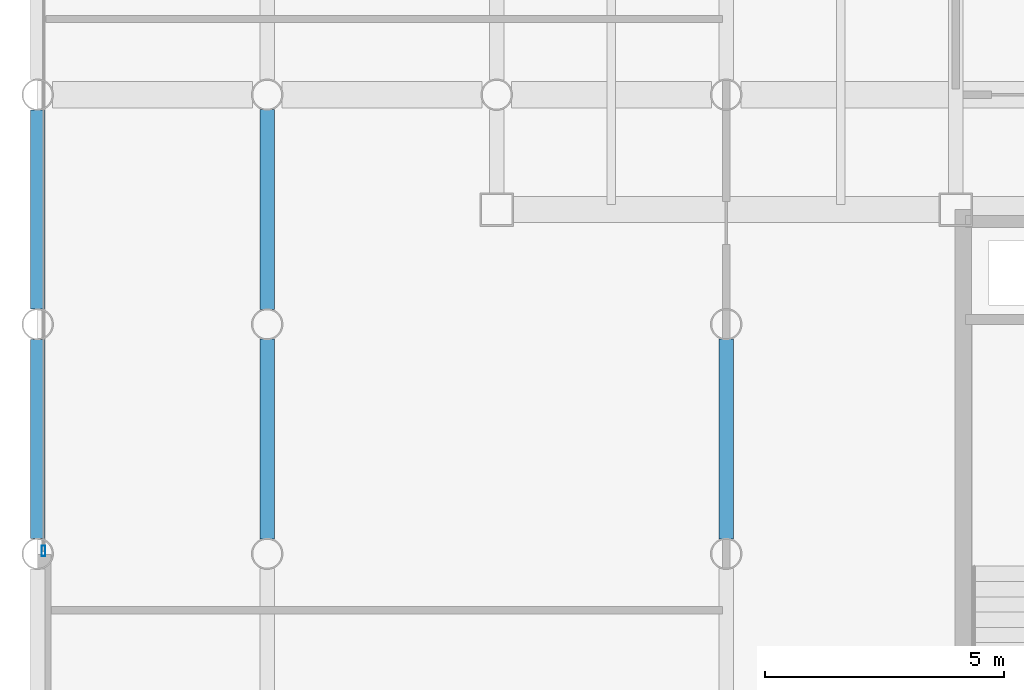
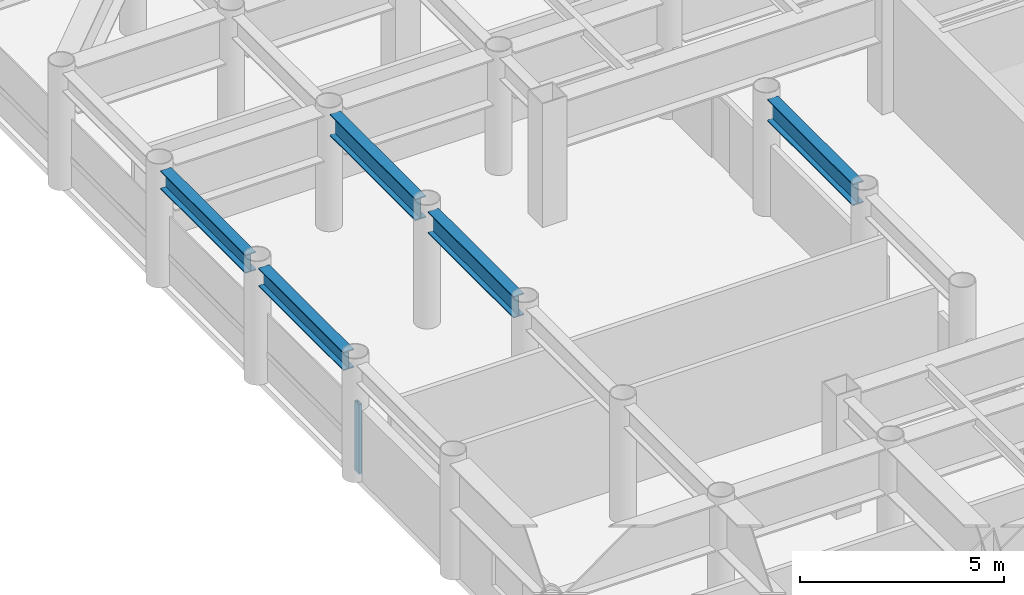
# One storey, part 6 of 24: 5 beams, 1 member, 1 element without a shape of its own.
"""IFC4 building model written with IfcOpenShell, lengths in metres."""

from ifc_helpers import new_model, si_unit, direction, frame, origin, origin_2d, place, context, subcontext, project, spatial, hollow_rectangle, i_section, extrude, material, layer, layer_set, material_profile, profile_set, type_object, element, aggregate, save


model = new_model("IFC4")

# Units and contexts
model_context = context("Model", 3, precision=1e-05, world=origin(), true_north=direction((0.0, 1.0)))
body_context = subcontext(model_context, "Body", "Model", "MODEL_VIEW")
ifc_project = project(units=[si_unit("LENGTHUNIT", "METRE"), si_unit("AREAUNIT", "SQUARE_METRE"), si_unit("VOLUMEUNIT", "CUBIC_METRE"), si_unit("PLANEANGLEUNIT", "RADIAN"), si_unit("MASSUNIT", "GRAM", prefix="KILO")], contexts=[model_context])

# Site, building, storey
site_placement = place(None, origin())
site = spatial("IfcSite", under=ifc_project, at=site_placement, CompositionType="ELEMENT")
building_placement = place(site_placement, origin())
building = spatial("IfcBuilding", under=site, at=building_placement, Name="Kallvorn Hotel Tower", CompositionType="ELEMENT")
storey_placement = place(building_placement, frame((0.0, 0.0, 150.699951171875)))
storey = spatial("IfcBuildingStorey", under=building, at=storey_placement, Name="L37", CompositionType="ELEMENT", Elevation=150.699951171875)

# Beams
ifc_material_1 = material(Name="Structural steel S355JR", Category="steel")
ifc_material_profile_1 = material_profile(ifc_material_1, i_section(OverallWidth=0.300048828125, OverallDepth=0.550048828125, WebThickness=0.014892578125, FlangeThickness=0.029052734375, at=origin_2d()), Name="HE 550 B")
ifc_profile_set_1 = profile_set([ifc_material_profile_1], Name="Structural steel S355JR")
beam_type_1 = type_object("IfcBeamType", Name="BM_HE550B", PredefinedType="SPANDREL", material=ifc_profile_set_1)
for number, where, z_axis, x_axis, name in (
    (1, (-33.60009765625, 0.320068359375, 3.2451171875), (0.0, 1.0, 0.0), (-1.0, 0.0, 0.0), "L38 Perimeter Spandrel 191"),
    (2, (-33.60009765625, 5.1201171875, 3.2451171875), (0.0, 1.0, 0.0), (-1.0, 0.0, 0.0), "L38 Perimeter Spandrel 192"),
):
    element("IfcBeam", number, at=place(storey_placement, frame(where, z_axis=z_axis, x_axis=x_axis)), inside=storey, type_object=beam_type_1, Name=name, PredefinedType="SPANDREL", context=body_context, shape_type="SweptSolid", body=[
        extrude(i_section(OverallWidth=0.300048828125, OverallDepth=0.550048828125, WebThickness=0.014892578125, FlangeThickness=0.029052734375, at=origin_2d()), origin(), (0.0, 0.0, 1.0), 4.159912109375),
    ])
ifc_material_2 = material(Name="Structural steel S355JR", Category="steel")
ifc_material_profile_2 = material_profile(ifc_material_2, i_section(OverallWidth=0.300048828125, OverallDepth=0.64990234375, WebThickness=0.01611328125, FlangeThickness=0.031005859375, at=origin_2d()), Name="HE 650 B")
ifc_profile_set_2 = profile_set([ifc_material_profile_2], Name="Structural steel S355JR")
beam_type_2 = type_object("IfcBeamType", Name="BM_HE650B", PredefinedType="BEAM", material=ifc_profile_set_2)
beam_1_placement = place(storey_placement, frame((-28.800048828125, 0.304931640625, 3.195068359375), z_axis=(0.0, 1.0, 0.0), x_axis=(-1.0, 0.0, 0.0)))
element("IfcBeam", 3, at=beam_1_placement, inside=storey, type_object=beam_type_2, Name="L38 Primary Y-Girder 90", PredefinedType="BEAM", context=body_context, shape_type="SweptSolid", body=[
    extrude(i_section(OverallWidth=0.300048828125, OverallDepth=0.64990234375, WebThickness=0.01611328125, FlangeThickness=0.031005859375, at=origin_2d()), origin(), (0.0, 0.0, 1.0), 4.190185546875),
])
beam_2_placement = place(storey_placement, frame((-28.800048828125, 5.10498046875, 3.195068359375), z_axis=(0.0, 1.0, 0.0), x_axis=(-1.0, 0.0, 0.0)))
element("IfcBeam", 4, at=beam_2_placement, inside=storey, type_object=beam_type_2, Name="L38 Primary Y-Girder 91", PredefinedType="BEAM", context=body_context, shape_type="SweptSolid", body=[
    extrude(i_section(OverallWidth=0.300048828125, OverallDepth=0.64990234375, WebThickness=0.01611328125, FlangeThickness=0.031005859375, at=origin_2d()), origin(), (0.0, 0.0, 1.0), 4.18994140625),
])
beam_3_placement = place(storey_placement, frame((-19.199951171875, 0.304931640625, 3.195068359375), z_axis=(0.0, 1.0, 0.0), x_axis=(-1.0, 0.0, 0.0)))
element("IfcBeam", 5, at=beam_3_placement, inside=storey, type_object=beam_type_2, Name="L38 Primary Y-Girder 106", PredefinedType="BEAM", context=body_context, shape_type="SweptSolid", body=[
    extrude(i_section(OverallWidth=0.300048828125, OverallDepth=0.64990234375, WebThickness=0.01611328125, FlangeThickness=0.031005859375, at=origin_2d()), origin(), (0.0, 0.0, 1.0), 4.190185546875),
])

# Curtain wall, member
ifc_material_3 = material(Name="Thermally broken black-anodised aluminium AA 6063-T6", Category="aluminium")
ifc_layer = layer(ifc_material_3, 0.2099609375)
ifc_layer_set = layer_set([ifc_layer], Name="CW_SYS_4_HOTEL_MID")
curtain_wall_type = type_object("IfcCurtainWallType", Name="CW_SYS_4_HOTEL_MID", PredefinedType="USERDEFINED", material=ifc_layer_set)
curtain_wall_placement = place(storey_placement, origin())
curtain_wall = element("IfcCurtainWall", 6, at=curtain_wall_placement, inside=storey, type_object=curtain_wall_type, Name="L37 Dark-Glass Curtain Wall CW-L37-WN", ObjectType="UNITISED CURTAIN WALL", PredefinedType="USERDEFINED")
ifc_material_4 = material(Name="Thermally broken black-anodised aluminium AA 6063-T6", Category="aluminium")
ifc_material_profile_3 = material_profile(ifc_material_4, hollow_rectangle(XDim=0.080078125, YDim=0.219970703125, WallThickness=0.0048828125, at=origin_2d()), Name="MUL 220x80")
ifc_profile_set_3 = profile_set([ifc_material_profile_3], Name="Thermally broken black-anodised aluminium AA 6063-T6")
member_type = type_object("IfcMemberType", Name="CW_MULLION_220x80", PredefinedType="MULLION", material=ifc_profile_set_3)
member_placement = place(storey_placement, frame((-33.47998046875, 0.06005859375, 0.02001953125), z_axis=(0.0, 0.0, 1.0), x_axis=(1.0, 0.0, 0.0)))
member = element("IfcMember", 7, at=member_placement, type_object=member_type, Name="CW-L37-WN Mullion 00", PredefinedType="MULLION", context=body_context, shape_type="SweptSolid", body=[
    extrude(hollow_rectangle(XDim=0.080078125, YDim=0.219970703125, WallThickness=0.0048828125, at=origin_2d()), origin(), (0.0, 0.0, 1.0), 2.080078125),
])
aggregate(curtain_wall, [member])

save(model, "model.ifc")
